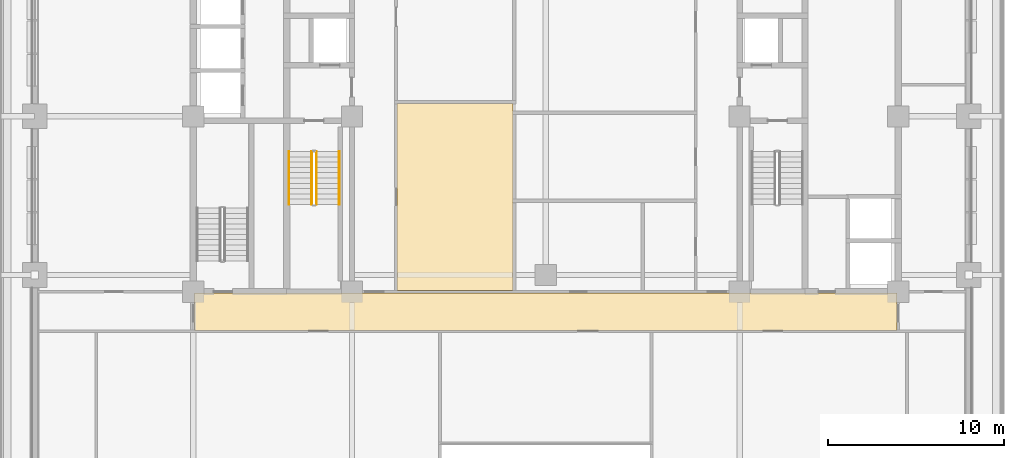
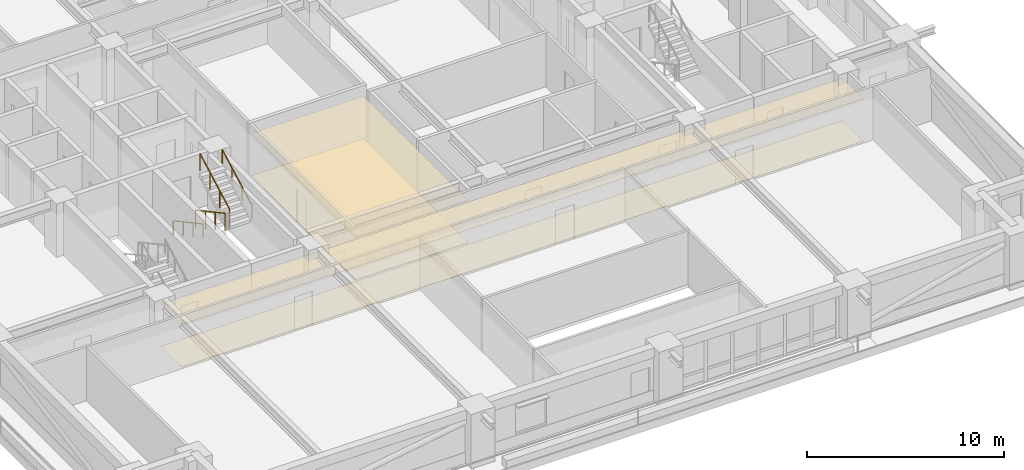
# One storey, part 17 of 20: 4 coverings, 4 railings.
"""IFC4 building model written with IfcOpenShell, lengths in metres."""

from ifc_helpers import new_model, si_unit, direction, frame, origin, origin_2d, place, context, subcontext, project, spatial, polyline, rectangle, outline, extrude, material, layer, layer_set, type_object, element, save


model = new_model("IFC4")

# Units and contexts
model_context = context("Model", 3, precision=1e-05, world=origin(), true_north=direction((0.0, 1.0)))
body_context = subcontext(model_context, "Body", "Model", "MODEL_VIEW")
ifc_project = project(units=[si_unit("LENGTHUNIT", "METRE"), si_unit("AREAUNIT", "SQUARE_METRE"), si_unit("VOLUMEUNIT", "CUBIC_METRE"), si_unit("PLANEANGLEUNIT", "RADIAN"), si_unit("MASSUNIT", "GRAM", prefix="KILO")], contexts=[model_context])

# Site, building, storey
site_placement = place(None, origin())
site = spatial("IfcSite", under=ifc_project, at=site_placement, CompositionType="ELEMENT")
building_placement = place(site_placement, origin())
building = spatial("IfcBuilding", under=site, at=building_placement, Name="Zulmaris Gate Convention Tower", CompositionType="ELEMENT")
storey_placement = place(building_placement, frame((0.0, 0.0, 75.0400390625)))
storey = spatial("IfcBuildingStorey", under=building, at=storey_placement, Name="L18", CompositionType="ELEMENT", Elevation=75.0400390625)

# Coverings
ifc_material_1 = material(Name="Mineral Fibre Acoustic Ceiling Tile")
ifc_layer_1 = layer(ifc_material_1, 0.02001953125, Name="Mineral Fibre Acoustic Ceiling Tile")
ifc_layer_set_1 = layer_set([ifc_layer_1], Name="Mineral Fibre Acoustic Ceiling Tile")
covering_type_1 = type_object("IfcCoveringType", Name="CLG-ACOUSTIC-600", PredefinedType="CEILING", material=ifc_layer_set_1)
covering_1_placement = place(storey_placement, frame((0.0, 0.0, 2.6279296875)))
element("IfcCovering", 1, at=covering_1_placement, inside=storey, type_object=covering_type_1, Name="CLG-L18-R27", PredefinedType="CEILING", context=body_context, shape_type="SweptSolid", body=[
    extrude(outline(polyline([(-19.93994140625, -12.139892578125), (19.93994140625, -12.139892578125), (19.93994140625, -10.010009765625), (-19.93994140625, -10.010009765625), (-19.93994140625, -12.139892578125)])), origin(), (0.0, 0.0, 1.0), 0.02001953125),
])
covering_2_placement = place(storey_placement, frame((0.0, 0.0, 2.6279296875)))
element("IfcCovering", 2, at=covering_2_placement, inside=storey, type_object=covering_type_1, Name="CLG-L18-R41", PredefinedType="CEILING", context=body_context, shape_type="SweptSolid", body=[
    extrude(outline(polyline([(-8.43994140625, -9.889892578125), (-1.860107421875, -9.889892578125), (-1.860107421875, 0.739990234375), (-8.43994140625, 0.739990234375), (-8.43994140625, -9.889892578125)])), origin(), (0.0, 0.0, 1.0), 0.02001953125),
])
ifc_material_2 = material(Name="Woven Acoustic Wool Carpet Tile")
ifc_layer_2 = layer(ifc_material_2, 0.02001953125, Name="Woven Acoustic Wool Carpet Tile")
ifc_layer_set_2 = layer_set([ifc_layer_2], Name="Woven Acoustic Wool Carpet Tile")
covering_type_2 = type_object("IfcCoveringType", Name="FLR-CARPET-12", PredefinedType="FLOORING", material=ifc_layer_set_2)
covering_3_placement = place(storey_placement, origin())
element("IfcCovering", 3, at=covering_3_placement, inside=storey, type_object=covering_type_2, Name="FLR-L18-R27", PredefinedType="FLOORING", context=body_context, shape_type="SweptSolid", body=[
    extrude(outline(polyline([(-19.93994140625, -12.139892578125), (19.93994140625, -12.139892578125), (19.93994140625, -10.010009765625), (-19.93994140625, -10.010009765625), (-19.93994140625, -12.139892578125)])), origin(), (0.0, 0.0, 1.0), 0.02001953125),
])
covering_4_placement = place(storey_placement, origin())
element("IfcCovering", 4, at=covering_4_placement, inside=storey, type_object=covering_type_2, Name="FLR-L18-R41", PredefinedType="FLOORING", context=body_context, shape_type="SweptSolid", body=[
    extrude(outline(polyline([(-8.43994140625, -9.889892578125), (-1.860107421875, -9.889892578125), (-1.860107421875, 0.739990234375), (-8.43994140625, 0.739990234375), (-8.43994140625, -9.889892578125)])), origin(), (0.0, 0.0, 1.0), 0.02001953125),
])

# Railings
ifc_material_3 = material(Name="Painted Galvanised Steel", Category="steel")
railing_type_1 = type_object("IfcRailingType", Name="RL-STG-1150", PredefinedType="GUARDRAIL", material=ifc_material_3)
railing_1_placement = place(storey_placement, frame((-13.27001953125, -2.0, 0.162109375)))
element("IfcRailing", 5, at=railing_1_placement, inside=storey, type_object=railing_type_1, Name="L18 ST-1 stair guard 1", PredefinedType="GUARDRAIL", context=body_context, shape_type="SweptSolid", body=[
    extrude(rectangle(XDim=0.048095703125, YDim=0.048095703125, at=origin_2d()), frame((0.0, 0.0, 1.076171875), z_axis=(0.0, -0.8795616155, 0.475784998228), x_axis=(1.0, 0.0, 0.0)), (0.0, 0.0, 1.0), 3.410888671875),
    extrude(rectangle(XDim=0.0419921875, YDim=0.0419921875, at=origin_2d()), origin(), (0.0, 0.0, 1.0), 1.052001953125),
    extrude(rectangle(XDim=0.0419921875, YDim=0.0419921875, at=origin_2d()), frame((0.0, -1.0, 0.541015625)), (0.0, 0.0, 1.0), 1.052001953125),
    extrude(rectangle(XDim=0.0419921875, YDim=0.0419921875, at=origin_2d()), frame((0.0, -2.0, 1.081787109375)), (0.0, 0.0, 1.0), 1.052001953125),
    extrude(rectangle(XDim=0.0419921875, YDim=0.0419921875, at=origin_2d()), frame((0.0, -3.0, 1.622802734375)), (0.0, 0.0, 1.0), 1.052001953125),
])
railing_2_placement = place(storey_placement, frame((-13.010009765625, -5.0, 1.947265625)))
element("IfcRailing", 6, at=railing_2_placement, inside=storey, type_object=railing_type_1, Name="L18 ST-1 stair guard 3", PredefinedType="GUARDRAIL", context=body_context, shape_type="SweptSolid", body=[
    extrude(rectangle(XDim=0.048095703125, YDim=0.048095703125, at=origin_2d()), frame((0.0, 0.0, 1.076171875), z_axis=(0.0, 0.879591569277, 0.475729619907), x_axis=(-1.0, 0.0, 0.0)), (0.0, 0.0, 1.0), 3.41064453125),
    extrude(rectangle(XDim=0.0419921875, YDim=0.0419921875, at=origin_2d()), origin(), (0.0, 0.0, 1.0), 1.052001953125),
    extrude(rectangle(XDim=0.0419921875, YDim=0.0419921875, at=origin_2d()), frame((0.0, 1.0, 0.540771484375)), (0.0, 0.0, 1.0), 1.052001953125),
    extrude(rectangle(XDim=0.0419921875, YDim=0.0419921875, at=origin_2d()), frame((0.0, 2.0, 1.081787109375)), (0.0, 0.0, 1.0), 1.052001953125),
    extrude(rectangle(XDim=0.0419921875, YDim=0.0419921875, at=origin_2d()), frame((0.0, 3.0, 1.62255859375)), (0.0, 0.0, 1.0), 1.052001953125),
])
ifc_material_4 = material(Name="Brushed Stainless Steel", Category="steel")
railing_type_2 = type_object("IfcRailingType", Name="RL-STH-900", PredefinedType="HANDRAIL", material=ifc_material_4)
railing_3_placement = place(storey_placement, frame((-14.570068359375, -2.0, 0.162109375)))
element("IfcRailing", 7, at=railing_3_placement, inside=storey, type_object=railing_type_2, Name="L18 ST-1 stair handrail 1", PredefinedType="HANDRAIL", context=body_context, shape_type="SweptSolid", body=[
    extrude(rectangle(XDim=0.048095703125, YDim=0.048095703125, at=origin_2d()), frame((0.0, 0.0, 0.8759765625), z_axis=(0.0, -0.8795616155, 0.475784998228), x_axis=(1.0, 0.0, 0.0)), (0.0, 0.0, 1.0), 3.410888671875),
    extrude(rectangle(XDim=0.0419921875, YDim=0.0419921875, at=origin_2d()), origin(), (0.0, 0.0, 1.0), 0.851806640625),
    extrude(rectangle(XDim=0.0419921875, YDim=0.0419921875, at=origin_2d()), frame((0.0, -1.0, 0.541015625)), (0.0, 0.0, 1.0), 0.851806640625),
    extrude(rectangle(XDim=0.0419921875, YDim=0.0419921875, at=origin_2d()), frame((0.0, -2.0, 1.081787109375)), (0.0, 0.0, 1.0), 0.851806640625),
    extrude(rectangle(XDim=0.0419921875, YDim=0.0419921875, at=origin_2d()), frame((0.0, -3.0, 1.622802734375)), (0.0, 0.0, 1.0), 0.851806640625),
])
railing_4_placement = place(storey_placement, frame((-11.7099609375, -5.0, 1.947265625)))
element("IfcRailing", 8, at=railing_4_placement, inside=storey, type_object=railing_type_2, Name="L18 ST-1 stair handrail 2", PredefinedType="HANDRAIL", context=body_context, shape_type="SweptSolid", body=[
    extrude(rectangle(XDim=0.048095703125, YDim=0.048095703125, at=origin_2d()), frame((0.0, 0.0, 0.8759765625), z_axis=(0.0, 0.879591569277, 0.475729619907), x_axis=(-1.0, 0.0, 0.0)), (0.0, 0.0, 1.0), 3.41064453125),
    extrude(rectangle(XDim=0.0419921875, YDim=0.0419921875, at=origin_2d()), origin(), (0.0, 0.0, 1.0), 0.851806640625),
    extrude(rectangle(XDim=0.0419921875, YDim=0.0419921875, at=origin_2d()), frame((0.0, 1.0, 0.540771484375)), (0.0, 0.0, 1.0), 0.851806640625),
    extrude(rectangle(XDim=0.0419921875, YDim=0.0419921875, at=origin_2d()), frame((0.0, 2.0, 1.081787109375)), (0.0, 0.0, 1.0), 0.851806640625),
    extrude(rectangle(XDim=0.0419921875, YDim=0.0419921875, at=origin_2d()), frame((0.0, 3.0, 1.62255859375)), (0.0, 0.0, 1.0), 0.851806640625),
])

save(model, "model.ifc")
